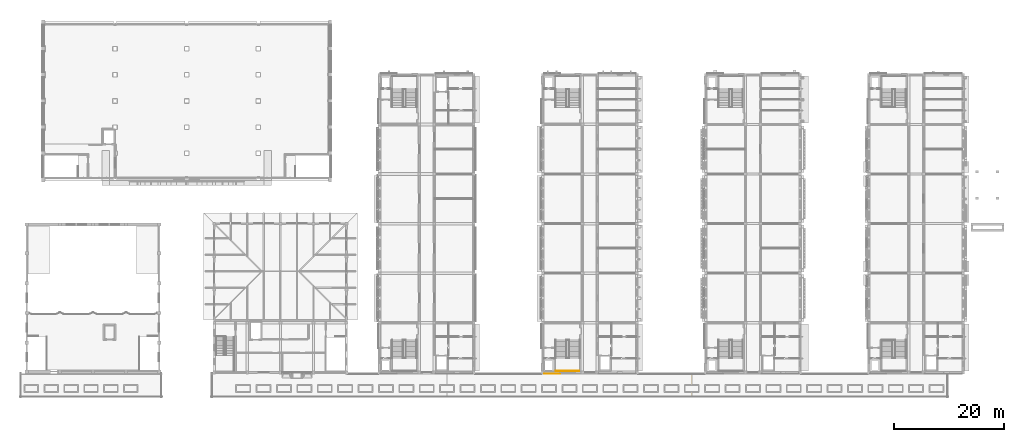
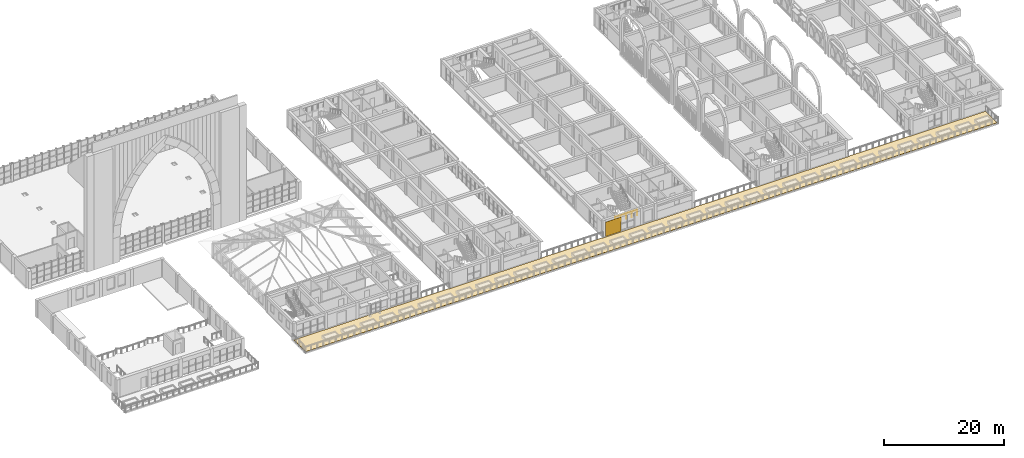
# One storey, part 73 of 82: 2 coverings, 1 railing.
"""IFC4 building model written with IfcOpenShell, lengths in metres."""

from ifc_helpers import new_model, si_unit, direction, frame, origin, origin_2d, place, context, subcontext, project, spatial, polyline, rectangle, circle, outline, extrude, material, layer, layer_set, type_object, element, save


model = new_model("IFC4")

# Units and contexts
model_context = context("Model", 3, precision=1e-05, world=origin(), true_north=direction((0.0, 1.0)))
body_context = subcontext(model_context, "Body", "Model", "MODEL_VIEW")
ifc_project = project(units=[si_unit("LENGTHUNIT", "METRE"), si_unit("AREAUNIT", "SQUARE_METRE"), si_unit("VOLUMEUNIT", "CUBIC_METRE"), si_unit("PLANEANGLEUNIT", "RADIAN"), si_unit("MASSUNIT", "GRAM", prefix="KILO")], contexts=[model_context])

# Site, building, storey
site_placement = place(None, origin())
site = spatial("IfcSite", under=ifc_project, at=site_placement, CompositionType="ELEMENT")
building_placement = place(site_placement, origin())
building = spatial("IfcBuilding", under=site, at=building_placement, Name="Elbe Cascade School", CompositionType="ELEMENT")
storey_placement = place(building_placement, frame((0.0, 0.0, 4.5)))
storey = spatial("IfcBuildingStorey", under=building, at=storey_placement, Name="L01", CompositionType="ELEMENT", Elevation=4.5)

# Railing
ifc_material_1 = material(Name="Steel S355J2H, painted", Category="steel")
railing_type = type_object("IfcRailingType", Name="Bar stair guard 1100", PredefinedType="GUARDRAIL", material=ifc_material_1)
railing_placement = place(storey_placement, frame((100.9599609375, 6.239990234375, 1.800048828125)))
element("IfcRailing", 1, at=railing_placement, inside=storey, type_object=railing_type, Name="Stair guard B1.S", PredefinedType="GUARDRAIL", context=body_context, shape_type="SweptSolid", body=[
    extrude(circle(Radius=0.02392578125, at=origin_2d()), frame((0.0, 0.0, 1.09619140625), z_axis=(1.0, 0.0, 0.0), x_axis=(0.0, 1.0, 0.0)), (0.0, 0.0, 1.0), 4.280029296875),
    extrude(circle(Radius=0.02099609375, at=origin_2d()), origin(), (0.0, 0.0, 1.0), 1.072021484375),
    extrude(circle(Radius=0.02099609375, at=origin_2d()), frame((1.070068359375, 0.0, 0.0)), (0.0, 0.0, 1.0), 1.072021484375),
    extrude(circle(Radius=0.02099609375, at=origin_2d()), frame((2.14013671875, 0.0, 0.0)), (0.0, 0.0, 1.0), 1.072021484375),
    extrude(circle(Radius=0.02099609375, at=origin_2d()), frame((3.2099609375, 0.0, 0.0)), (0.0, 0.0, 1.0), 1.072021484375),
    extrude(circle(Radius=0.02099609375, at=origin_2d()), frame((4.280029296875, 0.0, 0.0)), (0.0, 0.0, 1.0), 1.072021484375),
])

# Coverings
ifc_material_2 = material(Name="Sandstone - red", Category="masonry")
ifc_layer_1 = layer(ifc_material_2, 0.0400390625)
ifc_layer_set_1 = layer_set([ifc_layer_1], Name="Sandstone - red")
covering_type_1 = type_object("IfcCoveringType", Name="Bars envelope Sandstone cladding, red, 40 mm", PredefinedType="CLADDING", material=ifc_layer_set_1)
covering_1_placement = place(storey_placement, frame((100.300048828125, 5.760009765625, 0.0), z_axis=(0.0, 0.0, 1.0), x_axis=(1.0, 0.0, 0.0)))
element("IfcCovering", 2, at=covering_1_placement, inside=storey, type_object=covering_type_1, Name="Sandstone cladding CV48 B.L01.s.1a.1", PredefinedType="CLADDING", context=body_context, shape_type="SweptSolid", body=[
    extrude(rectangle(XDim=2.89990234375, YDim=0.0400390625, at=origin_2d()), origin(), (0.0, 0.0, 1.0), 2.89990234375),
])
ifc_material_3 = material(Name="Bitumen roofing membrane", Category="membrane")
ifc_layer_2 = layer(ifc_material_3, 0.0400390625)
ifc_layer_set_2 = layer_set([ifc_layer_2], Name="Bitumen roofing membrane")
covering_type_2 = type_object("IfcCoveringType", Name="Colonnade roofing 40", PredefinedType="ROOFING", material=ifc_layer_set_2)
covering_2_placement = place(storey_placement, origin())
element("IfcCovering", 3, at=covering_2_placement, inside=storey, type_object=covering_type_2, Name="Colonnade roof covering 2.1", PredefinedType="ROOFING", context=body_context, shape_type="SweptSolid", body=[
    extrude(outline(polyline([(38.699951171875, 5.6201171875), (38.699951171875, 1.699951171875), (171.925048828125, 1.699951171875), (171.925048828125, 5.550048828125), (157.35009765625, 5.550048828125), (157.35009765625, 5.6201171875), (145.75, 5.6201171875), (145.75, 5.550048828125), (127.75, 5.550048828125), (127.75, 5.6201171875), (116.14990234375, 5.6201171875), (116.14990234375, 5.550048828125), (98.14990234375, 5.550048828125), (98.14990234375, 5.6201171875), (86.550048828125, 5.6201171875), (86.550048828125, 5.550048828125), (68.550048828125, 5.550048828125), (68.550048828125, 5.6201171875), (38.699951171875, 5.6201171875)])), origin(), (0.0, 0.0, 1.0), 0.0400390625),
])

save(model, "model.ifc")
